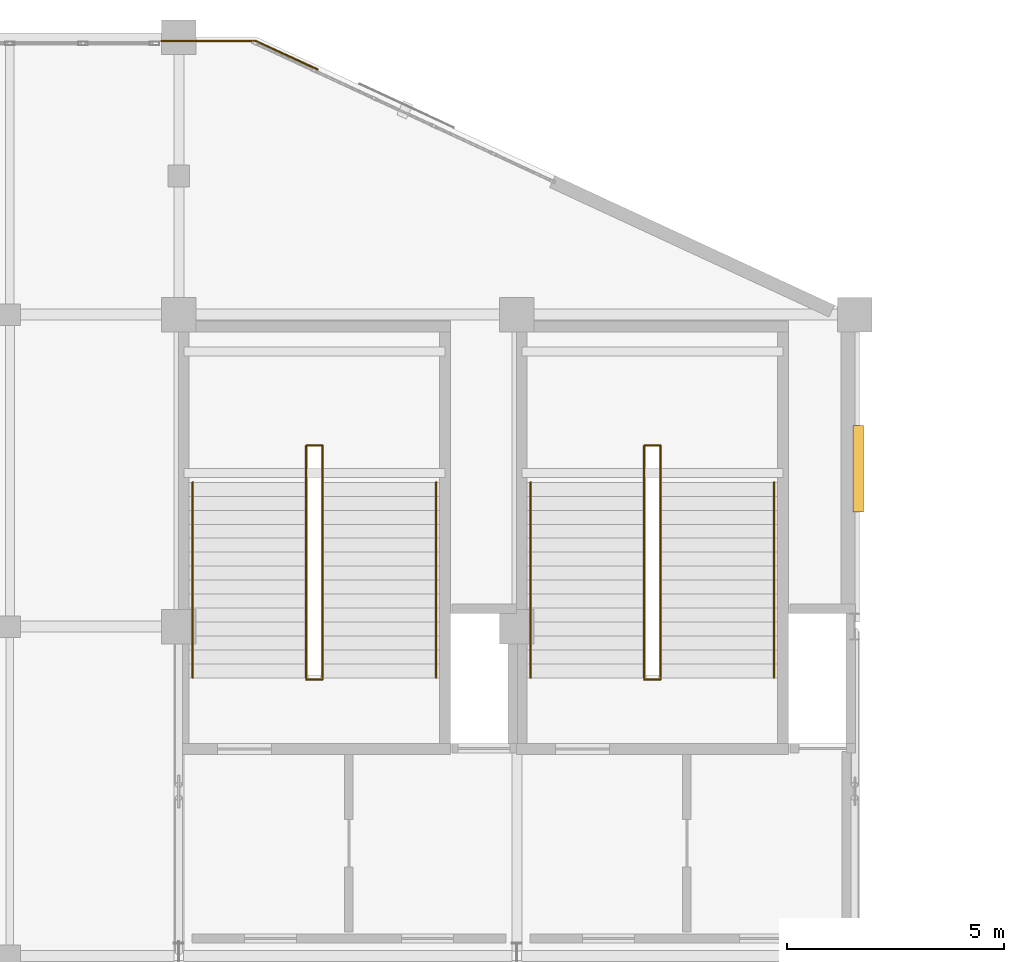
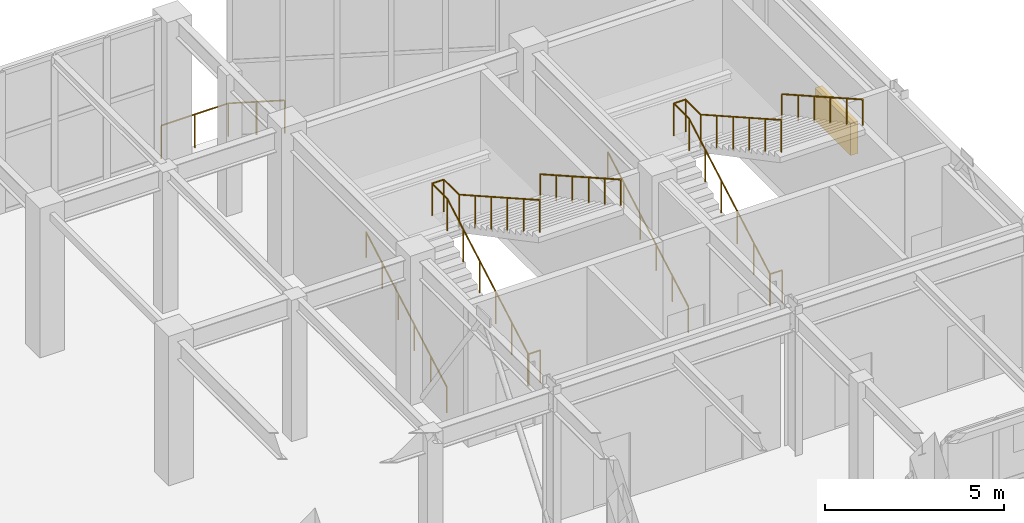
# One storey, part 128 of 128: 9 railings, 1 shading device.
"""IFC4 building model written with IfcOpenShell, lengths in metres."""

from ifc_helpers import new_model, si_unit, direction, frame, origin, origin_2d, place, context, subcontext, project, spatial, rectangle, circle, extrude, material, type_object, element, save


model = new_model("IFC4")

# Units and contexts
model_context = context("Model", 3, precision=1e-05, world=origin(), true_north=direction((0.0, 1.0)))
body_context = subcontext(model_context, "Body", "Model", "MODEL_VIEW")
ifc_project = project(units=[si_unit("LENGTHUNIT", "METRE"), si_unit("AREAUNIT", "SQUARE_METRE"), si_unit("VOLUMEUNIT", "CUBIC_METRE"), si_unit("PLANEANGLEUNIT", "RADIAN"), si_unit("MASSUNIT", "GRAM", prefix="KILO")], contexts=[model_context])

# Site, building, storey
site_placement = place(None, origin())
site = spatial("IfcSite", under=ifc_project, at=site_placement, CompositionType="ELEMENT")
building_placement = place(site_placement, origin())
building = spatial("IfcBuilding", under=site, at=building_placement, Name="Xicomal Pleat Aquarium", CompositionType="ELEMENT")
storey_placement = place(building_placement, frame((0.0, 0.0, 5.39990234375)))
storey = spatial("IfcBuildingStorey", under=building, at=storey_placement, Name="L02", CompositionType="ELEMENT", Elevation=5.39990234375)

# Railings
ifc_material_1 = material(Name="Stainless steel 316L and laminated safety glass", Category="steel")
railing_type_1 = type_object("IfcRailingType", Name="RAL-GRD-1150", PredefinedType="GUARDRAIL", material=ifc_material_1)
railing_1_placement = place(storey_placement, frame((141.199951171875, 104.719970703125, 0.0)))
element("IfcRailing", 1, at=railing_1_placement, inside=storey, type_object=railing_type_1, Name="L02 slab setback perimeter guard GR-EDG-L02-01", PredefinedType="GUARDRAIL", context=body_context, shape_type="SweptSolid", body=[
    extrude(circle(Radius=0.02392578125, at=origin_2d()), frame((0.0, 0.0, 1.1259765625), z_axis=(1.0, 0.0, 0.0), x_axis=(0.0, 1.0, 0.0)), (0.0, 0.0, 1.0), 2.16015625),
    extrude(circle(Radius=0.02392578125, at=origin_2d()), frame((2.16015625, 0.0, 1.1259765625), z_axis=(0.909079417475, -0.4166228663, 0.0), x_axis=(0.4166228663, 0.909079417475, 0.0)), (0.0, 0.0, 1.0), 1.583984375),
    extrude(circle(Radius=0.02099609375, at=origin_2d()), origin(), (0.0, 0.0, 1.0), 1.101806640625),
    extrude(circle(Radius=0.02099609375, at=origin_2d()), frame((1.080078125, 0.0, 0.0)), (0.0, 0.0, 1.0), 1.101806640625),
    extrude(circle(Radius=0.02099609375, at=origin_2d()), frame((2.16015625, 0.0, 0.0)), (0.0, 0.0, 1.0), 1.101806640625),
    extrude(circle(Radius=0.02099609375, at=origin_2d()), frame((2.880126953125, -0.330078125, 0.0)), (0.0, 0.0, 1.0), 1.101806640625),
    extrude(circle(Radius=0.02099609375, at=origin_2d()), frame((3.60009765625, -0.659912109375, 0.0)), (0.0, 0.0, 1.0), 1.101806640625),
])
ifc_material_2 = material(Name="Brushed stainless steel 316L", Category="steel")
railing_type_2 = type_object("IfcRailingType", Name="RAL-HR-900", PredefinedType="HANDRAIL", material=ifc_material_2)
railing_2_placement = place(storey_placement, frame((141.919921875, 90.02001953125, 0.0)))
element("IfcRailing", 2, at=railing_2_placement, inside=storey, type_object=railing_type_2, Name="ST-05-L02 flight 1 handrail", PredefinedType="HANDRAIL", context=body_context, shape_type="SweptSolid", body=[
    extrude(circle(Radius=0.02392578125, at=origin_2d()), frame((0.0, 0.0, 0.8759765625), z_axis=(0.0, 0.870395983686, 0.492352344955), x_axis=(-1.0, 0.0, 0.0)), (0.0, 0.0, 1.0), 5.17919921875),
    extrude(circle(Radius=0.02099609375, at=origin_2d()), origin(), (0.0, 0.0, 1.0), 0.851806640625),
    extrude(circle(Radius=0.02099609375, at=origin_2d()), frame((0.0, 0.901611328125, 0.510009765625)), (0.0, 0.0, 1.0), 0.851806640625),
    extrude(circle(Radius=0.02099609375, at=origin_2d()), frame((0.0, 1.80322265625, 1.02001953125)), (0.0, 0.0, 1.0), 0.851806640625),
    extrude(circle(Radius=0.02099609375, at=origin_2d()), frame((0.0, 2.704833984375, 1.530029296875)), (0.0, 0.0, 1.0), 0.851806640625),
    extrude(circle(Radius=0.02099609375, at=origin_2d()), frame((0.0, 3.6064453125, 2.0400390625)), (0.0, 0.0, 1.0), 0.851806640625),
    extrude(circle(Radius=0.02099609375, at=origin_2d()), frame((0.0, 4.508056640625, 2.550048828125)), (0.0, 0.0, 1.0), 0.851806640625),
])
railing_3_placement = place(storey_placement, frame((147.5400390625, 94.528076171875, 2.550048828125)))
element("IfcRailing", 3, at=railing_3_placement, inside=storey, type_object=railing_type_2, Name="ST-05-L02 flight 2 handrail", PredefinedType="HANDRAIL", context=body_context, shape_type="SweptSolid", body=[
    extrude(circle(Radius=0.02392578125, at=origin_2d()), frame((0.0, 0.0, 0.8759765625), z_axis=(0.0, -0.870395983686, 0.492352344955), x_axis=(1.0, 0.0, 0.0)), (0.0, 0.0, 1.0), 5.17919921875),
    extrude(circle(Radius=0.02099609375, at=origin_2d()), origin(), (0.0, 0.0, 1.0), 0.851806640625),
    extrude(circle(Radius=0.02099609375, at=origin_2d()), frame((0.0, -0.901611328125, 0.510009765625)), (0.0, 0.0, 1.0), 0.851806640625),
    extrude(circle(Radius=0.02099609375, at=origin_2d()), frame((0.0, -1.80322265625, 1.02001953125)), (0.0, 0.0, 1.0), 0.851806640625),
    extrude(circle(Radius=0.02099609375, at=origin_2d()), frame((0.0, -2.704833984375, 1.530029296875)), (0.0, 0.0, 1.0), 0.851806640625),
    extrude(circle(Radius=0.02099609375, at=origin_2d()), frame((0.0, -3.6064453125, 2.0400390625)), (0.0, 0.0, 1.0), 0.851806640625),
    extrude(circle(Radius=0.02099609375, at=origin_2d()), frame((0.0, -4.508056640625, 2.550048828125)), (0.0, 0.0, 1.0), 0.851806640625),
])
railing_4_placement = place(storey_placement, frame((149.719970703125, 90.02001953125, 0.0)))
element("IfcRailing", 4, at=railing_4_placement, inside=storey, type_object=railing_type_2, Name="ST-06-L02 flight 1 handrail", PredefinedType="HANDRAIL", context=body_context, shape_type="SweptSolid", body=[
    extrude(circle(Radius=0.02392578125, at=origin_2d()), frame((0.0, 0.0, 0.8759765625), z_axis=(0.0, 0.870395983686, 0.492352344955), x_axis=(-1.0, 0.0, 0.0)), (0.0, 0.0, 1.0), 5.17919921875),
    extrude(circle(Radius=0.02099609375, at=origin_2d()), origin(), (0.0, 0.0, 1.0), 0.851806640625),
    extrude(circle(Radius=0.02099609375, at=origin_2d()), frame((0.0, 0.901611328125, 0.510009765625)), (0.0, 0.0, 1.0), 0.851806640625),
    extrude(circle(Radius=0.02099609375, at=origin_2d()), frame((0.0, 1.80322265625, 1.02001953125)), (0.0, 0.0, 1.0), 0.851806640625),
    extrude(circle(Radius=0.02099609375, at=origin_2d()), frame((0.0, 2.704833984375, 1.530029296875)), (0.0, 0.0, 1.0), 0.851806640625),
    extrude(circle(Radius=0.02099609375, at=origin_2d()), frame((0.0, 3.6064453125, 2.0400390625)), (0.0, 0.0, 1.0), 0.851806640625),
    extrude(circle(Radius=0.02099609375, at=origin_2d()), frame((0.0, 4.508056640625, 2.550048828125)), (0.0, 0.0, 1.0), 0.851806640625),
])
railing_5_placement = place(storey_placement, frame((155.340087890625, 94.528076171875, 2.550048828125)))
element("IfcRailing", 5, at=railing_5_placement, inside=storey, type_object=railing_type_2, Name="ST-06-L02 flight 2 handrail", PredefinedType="HANDRAIL", context=body_context, shape_type="SweptSolid", body=[
    extrude(circle(Radius=0.02392578125, at=origin_2d()), frame((0.0, 0.0, 0.8759765625), z_axis=(0.0, -0.870395983686, 0.492352344955), x_axis=(1.0, 0.0, 0.0)), (0.0, 0.0, 1.0), 5.17919921875),
    extrude(circle(Radius=0.02099609375, at=origin_2d()), origin(), (0.0, 0.0, 1.0), 0.851806640625),
    extrude(circle(Radius=0.02099609375, at=origin_2d()), frame((0.0, -0.901611328125, 0.510009765625)), (0.0, 0.0, 1.0), 0.851806640625),
    extrude(circle(Radius=0.02099609375, at=origin_2d()), frame((0.0, -1.80322265625, 1.02001953125)), (0.0, 0.0, 1.0), 0.851806640625),
    extrude(circle(Radius=0.02099609375, at=origin_2d()), frame((0.0, -2.704833984375, 1.530029296875)), (0.0, 0.0, 1.0), 0.851806640625),
    extrude(circle(Radius=0.02099609375, at=origin_2d()), frame((0.0, -3.6064453125, 2.0400390625)), (0.0, 0.0, 1.0), 0.851806640625),
    extrude(circle(Radius=0.02099609375, at=origin_2d()), frame((0.0, -4.508056640625, 2.550048828125)), (0.0, 0.0, 1.0), 0.851806640625),
])
ifc_material_3 = material(Name="Brushed stainless steel 316L", Category="steel")
railing_type_3 = type_object("IfcRailingType", Name="RAL-STG-1120", PredefinedType="GUARDRAIL", material=ifc_material_3)
railing_6_placement = place(storey_placement, frame((144.5400390625, 90.02001953125, 0.0)))
element("IfcRailing", 6, at=railing_6_placement, inside=storey, type_object=railing_type_3, Name="ST-05-L02 inner well guard", PredefinedType="GUARDRAIL", context=body_context, shape_type="SweptSolid", body=[
    extrude(circle(Radius=0.02392578125, at=origin_2d()), frame((0.0, 0.0, 1.09619140625), z_axis=(0.0, 0.870395983686, 0.492352344955), x_axis=(-1.0, 0.0, 0.0)), (0.0, 0.0, 1.0), 5.17919921875),
    extrude(circle(Radius=0.02392578125, at=origin_2d()), frame((0.0, 4.508056640625, 3.64599609375), z_axis=(0.0, 1.0, 0.0), x_axis=(-1.0, 0.0, 0.0)), (0.0, 0.0, 1.0), 0.849853515625),
    extrude(circle(Radius=0.02392578125, at=origin_2d()), frame((0.0, 5.35791015625, 3.64599609375), z_axis=(1.0, 0.0, 0.0), x_axis=(0.0, 1.0, 0.0)), (0.0, 0.0, 1.0), 0.3798828125),
    extrude(circle(Radius=0.02392578125, at=origin_2d()), frame((0.3798828125, 5.35791015625, 3.64599609375), z_axis=(0.0, -1.0, 0.0), x_axis=(1.0, 0.0, 0.0)), (0.0, 0.0, 1.0), 0.849853515625),
    extrude(circle(Radius=0.02392578125, at=origin_2d()), frame((0.3798828125, 4.508056640625, 3.64599609375), z_axis=(0.0, -0.870395983686, 0.492352344955), x_axis=(1.0, 0.0, 0.0)), (0.0, 0.0, 1.0), 5.17919921875),
    extrude(circle(Radius=0.02099609375, at=origin_2d()), origin(), (0.0, 0.0, 1.0), 1.072021484375),
    extrude(circle(Radius=0.02099609375, at=origin_2d()), frame((0.0, 0.901611328125, 0.510009765625)), (0.0, 0.0, 1.0), 1.072021484375),
    extrude(circle(Radius=0.02099609375, at=origin_2d()), frame((0.0, 1.80322265625, 1.02001953125)), (0.0, 0.0, 1.0), 1.072021484375),
    extrude(circle(Radius=0.02099609375, at=origin_2d()), frame((0.0, 2.704833984375, 1.530029296875)), (0.0, 0.0, 1.0), 1.072021484375),
    extrude(circle(Radius=0.02099609375, at=origin_2d()), frame((0.0, 3.6064453125, 2.0400390625)), (0.0, 0.0, 1.0), 1.072021484375),
    extrude(circle(Radius=0.02099609375, at=origin_2d()), frame((0.0, 4.508056640625, 2.550048828125)), (0.0, 0.0, 1.0), 1.072021484375),
    extrude(circle(Radius=0.02099609375, at=origin_2d()), frame((0.0, 5.35791015625, 2.550048828125)), (0.0, 0.0, 1.0), 1.072021484375),
    extrude(circle(Radius=0.02099609375, at=origin_2d()), frame((0.3798828125, 5.35791015625, 2.550048828125)), (0.0, 0.0, 1.0), 1.072021484375),
    extrude(circle(Radius=0.02099609375, at=origin_2d()), frame((0.3798828125, 4.508056640625, 2.550048828125)), (0.0, 0.0, 1.0), 1.072021484375),
    extrude(circle(Radius=0.02099609375, at=origin_2d()), frame((0.3798828125, 3.6064453125, 3.06005859375)), (0.0, 0.0, 1.0), 1.072021484375),
    extrude(circle(Radius=0.02099609375, at=origin_2d()), frame((0.3798828125, 2.704833984375, 3.570068359375)), (0.0, 0.0, 1.0), 1.072021484375),
    extrude(circle(Radius=0.02099609375, at=origin_2d()), frame((0.3798828125, 1.80322265625, 4.080078125)), (0.0, 0.0, 1.0), 1.072021484375),
    extrude(circle(Radius=0.02099609375, at=origin_2d()), frame((0.3798828125, 0.901611328125, 4.590087890625)), (0.0, 0.0, 1.0), 1.072021484375),
    extrude(circle(Radius=0.02099609375, at=origin_2d()), frame((0.3798828125, 0.0, 5.10009765625)), (0.0, 0.0, 1.0), 1.072021484375),
])
railing_7_placement = place(storey_placement, frame((144.5400390625, 89.97998046875, 0.0)))
element("IfcRailing", 7, at=railing_7_placement, inside=storey, type_object=railing_type_3, Name="ST-05-L02 floor landing slot guard", PredefinedType="GUARDRAIL", context=body_context, shape_type="SweptSolid", body=[
    extrude(circle(Radius=0.02392578125, at=origin_2d()), frame((0.0, 0.0, 1.09619140625), z_axis=(1.0, 0.0, 0.0), x_axis=(0.0, 1.0, 0.0)), (0.0, 0.0, 1.0), 0.3798828125),
    extrude(circle(Radius=0.02099609375, at=origin_2d()), origin(), (0.0, 0.0, 1.0), 1.072021484375),
    extrude(circle(Radius=0.02099609375, at=origin_2d()), frame((0.3798828125, 0.0, 0.0)), (0.0, 0.0, 1.0), 1.072021484375),
])
railing_8_placement = place(storey_placement, frame((152.340087890625, 90.02001953125, 0.0)))
element("IfcRailing", 8, at=railing_8_placement, inside=storey, type_object=railing_type_3, Name="ST-06-L02 inner well guard", PredefinedType="GUARDRAIL", context=body_context, shape_type="SweptSolid", body=[
    extrude(circle(Radius=0.02392578125, at=origin_2d()), frame((0.0, 0.0, 1.09619140625), z_axis=(0.0, 0.870395983686, 0.492352344955), x_axis=(-1.0, 0.0, 0.0)), (0.0, 0.0, 1.0), 5.17919921875),
    extrude(circle(Radius=0.02392578125, at=origin_2d()), frame((0.0, 4.508056640625, 3.64599609375), z_axis=(0.0, 1.0, 0.0), x_axis=(-1.0, 0.0, 0.0)), (0.0, 0.0, 1.0), 0.849853515625),
    extrude(circle(Radius=0.02392578125, at=origin_2d()), frame((0.0, 5.35791015625, 3.64599609375), z_axis=(1.0, 0.0, 0.0), x_axis=(0.0, 1.0, 0.0)), (0.0, 0.0, 1.0), 0.3798828125),
    extrude(circle(Radius=0.02392578125, at=origin_2d()), frame((0.3798828125, 5.35791015625, 3.64599609375), z_axis=(0.0, -1.0, 0.0), x_axis=(1.0, 0.0, 0.0)), (0.0, 0.0, 1.0), 0.849853515625),
    extrude(circle(Radius=0.02392578125, at=origin_2d()), frame((0.3798828125, 4.508056640625, 3.64599609375), z_axis=(0.0, -0.870395983686, 0.492352344955), x_axis=(1.0, 0.0, 0.0)), (0.0, 0.0, 1.0), 5.17919921875),
    extrude(circle(Radius=0.02099609375, at=origin_2d()), origin(), (0.0, 0.0, 1.0), 1.072021484375),
    extrude(circle(Radius=0.02099609375, at=origin_2d()), frame((0.0, 0.901611328125, 0.510009765625)), (0.0, 0.0, 1.0), 1.072021484375),
    extrude(circle(Radius=0.02099609375, at=origin_2d()), frame((0.0, 1.80322265625, 1.02001953125)), (0.0, 0.0, 1.0), 1.072021484375),
    extrude(circle(Radius=0.02099609375, at=origin_2d()), frame((0.0, 2.704833984375, 1.530029296875)), (0.0, 0.0, 1.0), 1.072021484375),
    extrude(circle(Radius=0.02099609375, at=origin_2d()), frame((0.0, 3.6064453125, 2.0400390625)), (0.0, 0.0, 1.0), 1.072021484375),
    extrude(circle(Radius=0.02099609375, at=origin_2d()), frame((0.0, 4.508056640625, 2.550048828125)), (0.0, 0.0, 1.0), 1.072021484375),
    extrude(circle(Radius=0.02099609375, at=origin_2d()), frame((0.0, 5.35791015625, 2.550048828125)), (0.0, 0.0, 1.0), 1.072021484375),
    extrude(circle(Radius=0.02099609375, at=origin_2d()), frame((0.3798828125, 5.35791015625, 2.550048828125)), (0.0, 0.0, 1.0), 1.072021484375),
    extrude(circle(Radius=0.02099609375, at=origin_2d()), frame((0.3798828125, 4.508056640625, 2.550048828125)), (0.0, 0.0, 1.0), 1.072021484375),
    extrude(circle(Radius=0.02099609375, at=origin_2d()), frame((0.3798828125, 3.6064453125, 3.06005859375)), (0.0, 0.0, 1.0), 1.072021484375),
    extrude(circle(Radius=0.02099609375, at=origin_2d()), frame((0.3798828125, 2.704833984375, 3.570068359375)), (0.0, 0.0, 1.0), 1.072021484375),
    extrude(circle(Radius=0.02099609375, at=origin_2d()), frame((0.3798828125, 1.80322265625, 4.080078125)), (0.0, 0.0, 1.0), 1.072021484375),
    extrude(circle(Radius=0.02099609375, at=origin_2d()), frame((0.3798828125, 0.901611328125, 4.590087890625)), (0.0, 0.0, 1.0), 1.072021484375),
    extrude(circle(Radius=0.02099609375, at=origin_2d()), frame((0.3798828125, 0.0, 5.10009765625)), (0.0, 0.0, 1.0), 1.072021484375),
])
railing_9_placement = place(storey_placement, frame((152.340087890625, 89.97998046875, 0.0)))
element("IfcRailing", 9, at=railing_9_placement, inside=storey, type_object=railing_type_3, Name="ST-06-L02 floor landing slot guard", PredefinedType="GUARDRAIL", context=body_context, shape_type="SweptSolid", body=[
    extrude(circle(Radius=0.02392578125, at=origin_2d()), frame((0.0, 0.0, 1.09619140625), z_axis=(1.0, 0.0, 0.0), x_axis=(0.0, 1.0, 0.0)), (0.0, 0.0, 1.0), 0.3798828125),
    extrude(circle(Radius=0.02099609375, at=origin_2d()), origin(), (0.0, 0.0, 1.0), 1.072021484375),
    extrude(circle(Radius=0.02099609375, at=origin_2d()), frame((0.3798828125, 0.0, 0.0)), (0.0, 0.0, 1.0), 1.072021484375),
])

# Shading device
ifc_material_4 = material(Name="Perforated bronze anodized aluminium", Category="aluminium")
shading_device_type = type_object("IfcShadingDeviceType", Name="SHD-LOUV-ALU", PredefinedType="JALOUSIE", material=ifc_material_4)
shading_device_placement = place(storey_placement, frame((157.280029296875, 94.846923828125, 1.10009765625), z_axis=(0.0, 0.0, 1.0), x_axis=(0.0, -1.0, 0.0)))
element("IfcShadingDevice", 10, at=shading_device_placement, inside=storey, type_object=shading_device_type, Name="L02 LSS acoustic weather louvre 16", PredefinedType="JALOUSIE", context=body_context, shape_type="SweptSolid", body=[
    extrude(rectangle(XDim=2.0, YDim=0.239990234375, at=origin_2d()), origin(), (0.0, 0.0, 1.0), 1.10009765625),
])

save(model, "model.ifc")
